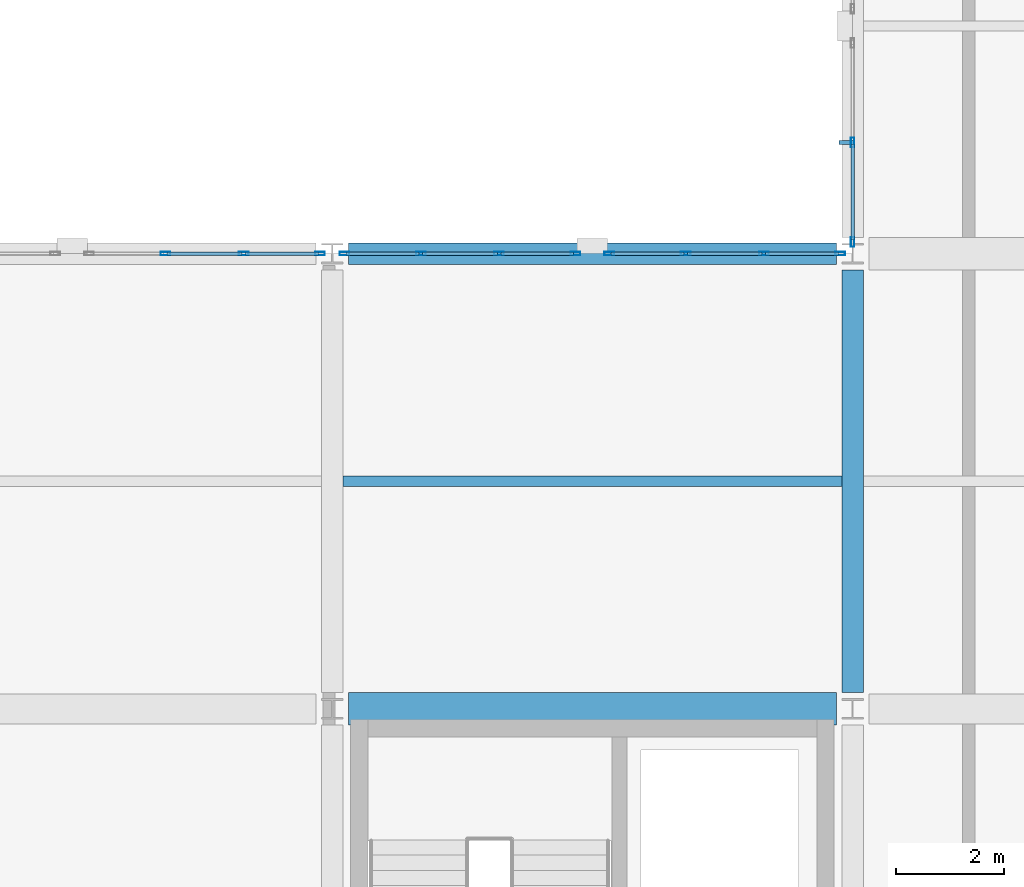
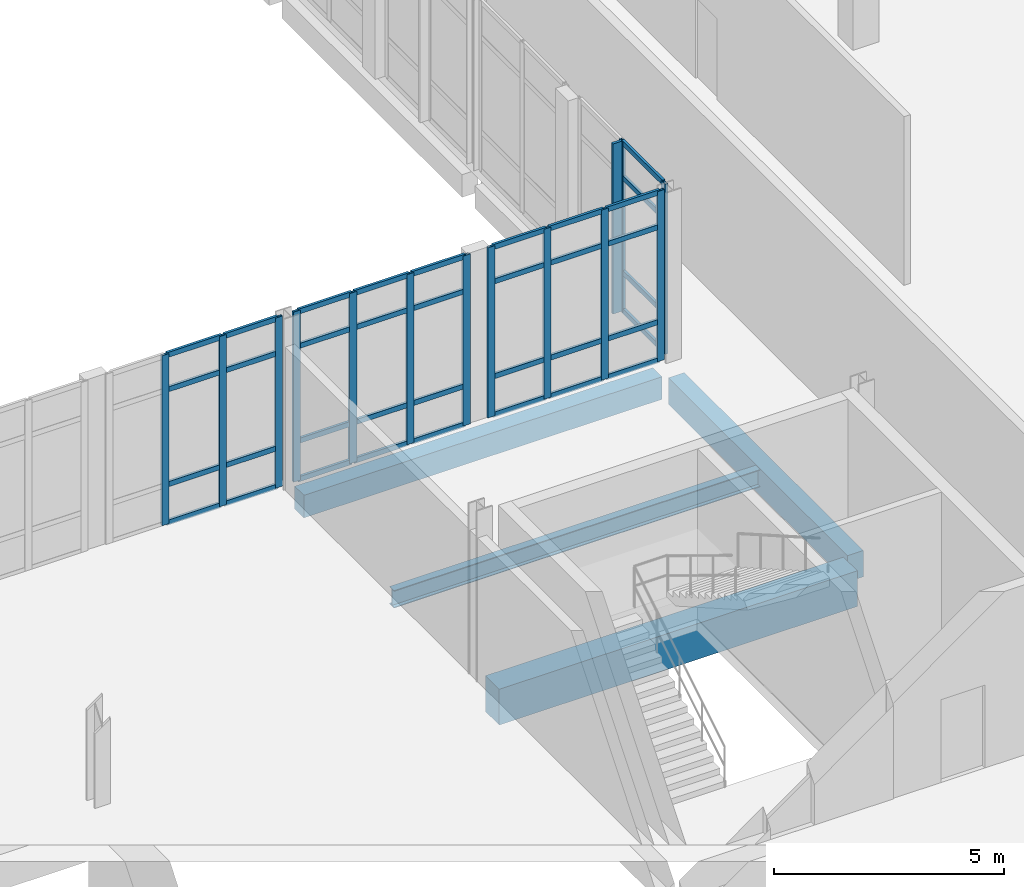
# One storey, part 20 of 102: 50 members, 4 beams, 4 elements without a shape of their own.
"""IFC4 building model written with IfcOpenShell, lengths in metres."""

from ifc_helpers import new_model, si_unit, direction, frame, origin, origin_2d, place, context, subcontext, project, spatial, rectangle, hollow_rectangle, i_section, extrude, material, layer, layer_set, material_profile, profile_set, type_object, element, aggregate, save


model = new_model("IFC4")

# Units and contexts
model_context = context("Model", 3, precision=1e-05, world=origin(), true_north=direction((0.0, 1.0)))
body_context = subcontext(model_context, "Body", "Model", "MODEL_VIEW")
ifc_project = project(units=[si_unit("LENGTHUNIT", "METRE"), si_unit("AREAUNIT", "SQUARE_METRE"), si_unit("VOLUMEUNIT", "CUBIC_METRE"), si_unit("PLANEANGLEUNIT", "RADIAN"), si_unit("MASSUNIT", "GRAM", prefix="KILO")], contexts=[model_context])

# Site, building, storey
site_placement = place(None, origin())
site = spatial("IfcSite", under=ifc_project, at=site_placement, CompositionType="ELEMENT")
building_placement = place(site_placement, origin())
building = spatial("IfcBuilding", under=site, at=building_placement, Name="Lornevale Opera House", CompositionType="ELEMENT")
storey_placement = place(building_placement, frame((0.0, 0.0, 5.39990234375)))
storey = spatial("IfcBuildingStorey", under=building, at=storey_placement, Name="L02", CompositionType="ELEMENT", Elevation=5.39990234375)

# Beams
ifc_material_1 = material(Name="Concrete 35 MPa (CSA A23.1 N)", Category="concrete")
ifc_material_profile_1 = material_profile(ifc_material_1, rectangle(XDim=0.39990234375, YDim=0.699951171875, at=origin_2d()), Name="RC400x700")
ifc_profile_set_1 = profile_set([ifc_material_profile_1], Name="Concrete 35 MPa (CSA A23.1 N)")
beam_type_1 = type_object("IfcBeamType", Name="Concrete Floor Beam 400x700", PredefinedType="USERDEFINED", material=ifc_profile_set_1)
beam_1_placement = place(storey_placement, frame((28.800048828125, 17.10009765625, -0.64990234375), z_axis=(0.0, 1.0, 0.0), x_axis=(-1.0, 0.0, 0.0)))
element("IfcBeam", 1, at=beam_1_placement, inside=storey, type_object=beam_type_1, Name="Concrete Floor Beam 400x700 1847", ObjectType="GIRDER", PredefinedType="USERDEFINED", context=body_context, shape_type="SweptSolid", body=[
    extrude(rectangle(XDim=0.39990234375, YDim=0.699951171875, at=origin_2d()), origin(), (0.0, 0.0, 1.0), 7.7998046875),
])
ifc_material_profile_2 = material_profile(ifc_material_1, rectangle(XDim=0.60009765625, YDim=0.949951171875, at=origin_2d()), Name="RC600x950")
ifc_profile_set_2 = profile_set([ifc_material_profile_2], Name="Concrete 35 MPa (CSA A23.1 N)")
beam_type_2 = type_object("IfcBeamType", Name="Concrete Primary Girder 600x950", PredefinedType="USERDEFINED", material=ifc_profile_set_2)
beam_2_placement = place(storey_placement, frame((19.5, 16.800048828125, -0.77490234375), z_axis=(1.0, 0.0, 0.0), x_axis=(0.0, 1.0, 0.0)))
element("IfcBeam", 2, at=beam_2_placement, inside=storey, type_object=beam_type_2, Name="Concrete Primary Girder 600x950 1683", ObjectType="GIRDER", PredefinedType="USERDEFINED", context=body_context, shape_type="SweptSolid", body=[
    extrude(rectangle(XDim=0.60009765625, YDim=0.949951171875, at=origin_2d()), origin(), (0.0, 0.0, 1.0), 9.0),
])
ifc_material_profile_3 = material_profile(ifc_material_1, rectangle(XDim=0.39990234375, YDim=0.60009765625, at=origin_2d()), Name="RC400x600")
ifc_profile_set_3 = profile_set([ifc_material_profile_3], Name="Concrete 35 MPa (CSA A23.1 N)")
beam_type_3 = type_object("IfcBeamType", Name="Concrete Spandrel Beam 400x600", PredefinedType="SPANDREL", material=ifc_profile_set_3)
beam_3_placement = place(storey_placement, frame((19.5, 25.199951171875, -0.599853515625), z_axis=(1.0, 0.0, 0.0), x_axis=(0.0, 1.0, 0.0)))
element("IfcBeam", 3, at=beam_3_placement, inside=storey, type_object=beam_type_3, Name="Concrete Spandrel Beam 400x600 1697", PredefinedType="SPANDREL", context=body_context, shape_type="SweptSolid", body=[
    extrude(rectangle(XDim=0.39990234375, YDim=0.60009765625, at=origin_2d()), origin(), (0.0, 0.0, 1.0), 9.0),
])

# Curtain wall, members
ifc_material_2 = material(Name="Anodized Oxide-Green Aluminium Framing", Category="aluminium")
ifc_layer = layer(ifc_material_2, 0.175048828125)
ifc_layer_set = layer_set([ifc_layer], Name="Anodized Oxide-Green Aluminium Framing")
curtain_wall_type = type_object("IfcCurtainWallType", Name="Chamber Cloister Curtain Wall M1700", PredefinedType="NOTDEFINED", material=ifc_layer_set)
curtain_wall_1_placement = place(storey_placement, origin())
curtain_wall_1 = element("IfcCurtainWall", 4, at=curtain_wall_1_placement, inside=storey, type_object=curtain_wall_type, Name="Chamber Cloister Curtain Wall M1700 CW-032", PredefinedType="NOTDEFINED")
ifc_material_profile_4 = material_profile(ifc_material_2, hollow_rectangle(XDim=0.06494140625, YDim=0.179931640625, WallThickness=0.0048828125, at=origin_2d()), Name="ALU65x180x5")
ifc_profile_set_4 = profile_set([ifc_material_profile_4], Name="Anodized Oxide-Green Aluminium Framing")
member_type_1 = type_object("IfcMemberType", Name="Curtain Wall Mullion 65x180", PredefinedType="MULLION", material=ifc_profile_set_4)
member_1_placement = place(storey_placement, frame((16.122314453125, 25.199951171875, 0.0), z_axis=(0.0, 0.0, 1.0), x_axis=(0.0, 1.0, 0.0)))
member_1 = element("IfcMember", 5, at=member_1_placement, type_object=member_type_1, Name="Curtain Wall Mullion 65x180 CW0609", PredefinedType="MULLION", context=body_context, shape_type="SweptSolid", body=[
    extrude(hollow_rectangle(XDim=0.06494140625, YDim=0.179931640625, WallThickness=0.0048828125, at=origin_2d()), origin(), (0.0, 0.0, 1.0), 4.52001953125),
])
member_2_placement = place(storey_placement, frame((17.564697265625, 25.199951171875, 0.0), z_axis=(0.0, 0.0, 1.0), x_axis=(0.0, 1.0, 0.0)))
member_2 = element("IfcMember", 6, at=member_2_placement, type_object=member_type_1, Name="Curtain Wall Mullion 65x180 CW0610", PredefinedType="MULLION", context=body_context, shape_type="SweptSolid", body=[
    extrude(hollow_rectangle(XDim=0.06494140625, YDim=0.179931640625, WallThickness=0.0048828125, at=origin_2d()), origin(), (0.0, 0.0, 1.0), 4.52001953125),
])
member_3_placement = place(storey_placement, frame((18.974609375, 25.199951171875, 0.0), z_axis=(0.0, 0.0, 1.0), x_axis=(0.0, 1.0, 0.0)))
member_3 = element("IfcMember", 7, at=member_3_placement, type_object=member_type_1, Name="Curtain Wall Mullion 65x180 CW0611", PredefinedType="MULLION", context=body_context, shape_type="SweptSolid", body=[
    extrude(hollow_rectangle(XDim=0.06494140625, YDim=0.179931640625, WallThickness=0.0048828125, at=origin_2d()), origin(), (0.0, 0.0, 1.0), 4.52001953125),
])

curtain_wall_2_placement = place(storey_placement, origin())
curtain_wall_2 = element("IfcCurtainWall", 8, at=curtain_wall_2_placement, inside=storey, type_object=curtain_wall_type, Name="Chamber Cloister Curtain Wall M1700 CW-039", PredefinedType="NOTDEFINED")
member_4_placement = place(storey_placement, frame((19.425537109375, 25.199951171875, 0.0), z_axis=(0.0, 0.0, 1.0), x_axis=(0.0, 1.0, 0.0)))
member_4 = element("IfcMember", 9, at=member_4_placement, type_object=member_type_1, Name="Curtain Wall Mullion 65x180 CW0783", PredefinedType="MULLION", context=body_context, shape_type="SweptSolid", body=[
    extrude(hollow_rectangle(XDim=0.06494140625, YDim=0.179931640625, WallThickness=0.0048828125, at=origin_2d()), origin(), (0.0, 0.0, 1.0), 4.52001953125),
])
member_5_placement = place(storey_placement, frame((20.835205078125, 25.199951171875, 0.0), z_axis=(0.0, 0.0, 1.0), x_axis=(0.0, 1.0, 0.0)))
member_5 = element("IfcMember", 10, at=member_5_placement, type_object=member_type_1, Name="Curtain Wall Mullion 65x180 CW0784", PredefinedType="MULLION", context=body_context, shape_type="SweptSolid", body=[
    extrude(hollow_rectangle(XDim=0.06494140625, YDim=0.179931640625, WallThickness=0.0048828125, at=origin_2d()), origin(), (0.0, 0.0, 1.0), 4.52001953125),
])
member_6_placement = place(storey_placement, frame((22.277587890625, 25.199951171875, 0.0), z_axis=(0.0, 0.0, 1.0), x_axis=(0.0, 1.0, 0.0)))
member_6 = element("IfcMember", 11, at=member_6_placement, type_object=member_type_1, Name="Curtain Wall Mullion 65x180 CW0785", PredefinedType="MULLION", context=body_context, shape_type="SweptSolid", body=[
    extrude(hollow_rectangle(XDim=0.06494140625, YDim=0.179931640625, WallThickness=0.0048828125, at=origin_2d()), origin(), (0.0, 0.0, 1.0), 4.52001953125),
])
member_7_placement = place(storey_placement, frame((23.6875, 25.199951171875, 0.0), z_axis=(0.0, 0.0, 1.0), x_axis=(0.0, 1.0, 0.0)))
member_7 = element("IfcMember", 12, at=member_7_placement, type_object=member_type_1, Name="Curtain Wall Mullion 65x180 CW0786", PredefinedType="MULLION", context=body_context, shape_type="SweptSolid", body=[
    extrude(hollow_rectangle(XDim=0.06494140625, YDim=0.179931640625, WallThickness=0.0048828125, at=origin_2d()), origin(), (0.0, 0.0, 1.0), 4.52001953125),
])

curtain_wall_3_placement = place(storey_placement, origin())
curtain_wall_3 = element("IfcCurtainWall", 13, at=curtain_wall_3_placement, inside=storey, type_object=curtain_wall_type, Name="Chamber Cloister Curtain Wall M1700 CW-040", PredefinedType="NOTDEFINED")
member_8_placement = place(storey_placement, frame((24.3125, 25.199951171875, 0.0), z_axis=(0.0, 0.0, 1.0), x_axis=(0.0, 1.0, 0.0)))
member_8 = element("IfcMember", 14, at=member_8_placement, type_object=member_type_1, Name="Curtain Wall Mullion 65x180 CW0808", PredefinedType="MULLION", context=body_context, shape_type="SweptSolid", body=[
    extrude(hollow_rectangle(XDim=0.06494140625, YDim=0.179931640625, WallThickness=0.0048828125, at=origin_2d()), origin(), (0.0, 0.0, 1.0), 4.52001953125),
])
member_9_placement = place(storey_placement, frame((25.722412109375, 25.199951171875, 0.0), z_axis=(0.0, 0.0, 1.0), x_axis=(0.0, 1.0, 0.0)))
member_9 = element("IfcMember", 15, at=member_9_placement, type_object=member_type_1, Name="Curtain Wall Mullion 65x180 CW0809", PredefinedType="MULLION", context=body_context, shape_type="SweptSolid", body=[
    extrude(hollow_rectangle(XDim=0.06494140625, YDim=0.179931640625, WallThickness=0.0048828125, at=origin_2d()), origin(), (0.0, 0.0, 1.0), 4.52001953125),
])
member_10_placement = place(storey_placement, frame((27.164794921875, 25.199951171875, 0.0), z_axis=(0.0, 0.0, 1.0), x_axis=(0.0, 1.0, 0.0)))
member_10 = element("IfcMember", 16, at=member_10_placement, type_object=member_type_1, Name="Curtain Wall Mullion 65x180 CW0810", PredefinedType="MULLION", context=body_context, shape_type="SweptSolid", body=[
    extrude(hollow_rectangle(XDim=0.06494140625, YDim=0.179931640625, WallThickness=0.0048828125, at=origin_2d()), origin(), (0.0, 0.0, 1.0), 4.52001953125),
])
member_11_placement = place(storey_placement, frame((28.574462890625, 25.199951171875, 0.0), z_axis=(0.0, 0.0, 1.0), x_axis=(0.0, 1.0, 0.0)))
member_11 = element("IfcMember", 17, at=member_11_placement, type_object=member_type_1, Name="Curtain Wall Mullion 65x180 CW0811", PredefinedType="MULLION", context=body_context, shape_type="SweptSolid", body=[
    extrude(hollow_rectangle(XDim=0.06494140625, YDim=0.179931640625, WallThickness=0.0048828125, at=origin_2d()), origin(), (0.0, 0.0, 1.0), 4.52001953125),
])

curtain_wall_4_placement = place(storey_placement, origin())
curtain_wall_4 = element("IfcCurtainWall", 18, at=curtain_wall_4_placement, inside=storey, type_object=curtain_wall_type, Name="Chamber Cloister Curtain Wall M1700 CW-051", PredefinedType="NOTDEFINED")
member_12_placement = place(storey_placement, frame((28.800048828125, 25.416015625, 0.0), z_axis=(0.0, 0.0, 1.0), x_axis=(-1.0, 0.0, 0.0)))
member_12 = element("IfcMember", 19, at=member_12_placement, type_object=member_type_1, Name="Curtain Wall Mullion 65x180 CW1043", PredefinedType="MULLION", context=body_context, shape_type="SweptSolid", body=[
    extrude(hollow_rectangle(XDim=0.06494140625, YDim=0.179931640625, WallThickness=0.0048828125, at=origin_2d()), origin(), (0.0, 0.0, 1.0), 4.52001953125),
])
member_13_placement = place(storey_placement, frame((28.800048828125, 27.251708984375, 0.0), z_axis=(0.0, 0.0, 1.0), x_axis=(-1.0, 0.0, 0.0)))
member_13 = element("IfcMember", 20, at=member_13_placement, type_object=member_type_1, Name="Curtain Wall Mullion 65x180 CW1044", PredefinedType="MULLION", context=body_context, shape_type="SweptSolid", body=[
    extrude(hollow_rectangle(XDim=0.06494140625, YDim=0.179931640625, WallThickness=0.0048828125, at=origin_2d()), origin(), (0.0, 0.0, 1.0), 4.52001953125),
])

# Member
ifc_material_profile_5 = material_profile(ifc_material_2, hollow_rectangle(XDim=0.06494140625, YDim=0.135009765625, WallThickness=0.00390625, at=origin_2d()), Name="ALU65x135x4")
ifc_profile_set_5 = profile_set([ifc_material_profile_5], Name="Anodized Oxide-Green Aluminium Framing")
member_type_2 = type_object("IfcMemberType", Name="Curtain Wall Transom 65x135", PredefinedType="USERDEFINED", material=ifc_profile_set_5)
member_14_placement = place(storey_placement, frame((16.15478515625, 25.199951171875, 0.03271484375), z_axis=(1.0, 0.0, 0.0), x_axis=(0.0, 1.0, 0.0)))
member_14 = element("IfcMember", 21, at=member_14_placement, type_object=member_type_2, Name="Curtain Wall Transom 65x135 CW0619", ObjectType="TRANSOM", PredefinedType="USERDEFINED", context=body_context, shape_type="SweptSolid", body=[
    extrude(hollow_rectangle(XDim=0.06494140625, YDim=0.135009765625, WallThickness=0.00390625, at=origin_2d()), origin(), (0.0, 0.0, 1.0), 1.37744140625),
])

member_15_placement = place(storey_placement, frame((16.15478515625, 25.199951171875, 1.050048828125), z_axis=(1.0, 0.0, 0.0), x_axis=(0.0, 1.0, 0.0)))
member_15 = element("IfcMember", 22, at=member_15_placement, type_object=member_type_2, Name="Curtain Wall Transom 65x135 CW0620", ObjectType="TRANSOM", PredefinedType="USERDEFINED", context=body_context, shape_type="SweptSolid", body=[
    extrude(hollow_rectangle(XDim=0.06494140625, YDim=0.135009765625, WallThickness=0.00390625, at=origin_2d()), origin(), (0.0, 0.0, 1.0), 1.37744140625),
])

member_16_placement = place(storey_placement, frame((16.15478515625, 25.199951171875, 3.570068359375), z_axis=(1.0, 0.0, 0.0), x_axis=(0.0, 1.0, 0.0)))
member_16 = element("IfcMember", 23, at=member_16_placement, type_object=member_type_2, Name="Curtain Wall Transom 65x135 CW0621", ObjectType="TRANSOM", PredefinedType="USERDEFINED", context=body_context, shape_type="SweptSolid", body=[
    extrude(hollow_rectangle(XDim=0.06494140625, YDim=0.135009765625, WallThickness=0.00390625, at=origin_2d()), origin(), (0.0, 0.0, 1.0), 1.37744140625),
])

member_17_placement = place(storey_placement, frame((16.15478515625, 25.199951171875, 4.487548828125), z_axis=(1.0, 0.0, 0.0), x_axis=(0.0, 1.0, 0.0)))
member_17 = element("IfcMember", 24, at=member_17_placement, type_object=member_type_2, Name="Curtain Wall Transom 65x135 CW0622", ObjectType="TRANSOM", PredefinedType="USERDEFINED", context=body_context, shape_type="SweptSolid", body=[
    extrude(hollow_rectangle(XDim=0.06494140625, YDim=0.135009765625, WallThickness=0.00390625, at=origin_2d()), origin(), (0.0, 0.0, 1.0), 1.37744140625),
])

member_18_placement = place(storey_placement, frame((17.59716796875, 25.199951171875, 0.03271484375), z_axis=(1.0, 0.0, 0.0), x_axis=(0.0, 1.0, 0.0)))
member_18 = element("IfcMember", 25, at=member_18_placement, type_object=member_type_2, Name="Curtain Wall Transom 65x135 CW0626", ObjectType="TRANSOM", PredefinedType="USERDEFINED", context=body_context, shape_type="SweptSolid", body=[
    extrude(hollow_rectangle(XDim=0.06494140625, YDim=0.135009765625, WallThickness=0.00390625, at=origin_2d()), origin(), (0.0, 0.0, 1.0), 1.3447265625),
])

member_19_placement = place(storey_placement, frame((17.59716796875, 25.199951171875, 1.050048828125), z_axis=(1.0, 0.0, 0.0), x_axis=(0.0, 1.0, 0.0)))
member_19 = element("IfcMember", 26, at=member_19_placement, type_object=member_type_2, Name="Curtain Wall Transom 65x135 CW0627", ObjectType="TRANSOM", PredefinedType="USERDEFINED", context=body_context, shape_type="SweptSolid", body=[
    extrude(hollow_rectangle(XDim=0.06494140625, YDim=0.135009765625, WallThickness=0.00390625, at=origin_2d()), origin(), (0.0, 0.0, 1.0), 1.3447265625),
])

member_20_placement = place(storey_placement, frame((17.59716796875, 25.199951171875, 3.570068359375), z_axis=(1.0, 0.0, 0.0), x_axis=(0.0, 1.0, 0.0)))
member_20 = element("IfcMember", 27, at=member_20_placement, type_object=member_type_2, Name="Curtain Wall Transom 65x135 CW0628", ObjectType="TRANSOM", PredefinedType="USERDEFINED", context=body_context, shape_type="SweptSolid", body=[
    extrude(hollow_rectangle(XDim=0.06494140625, YDim=0.135009765625, WallThickness=0.00390625, at=origin_2d()), origin(), (0.0, 0.0, 1.0), 1.3447265625),
])

member_21_placement = place(storey_placement, frame((17.59716796875, 25.199951171875, 4.487548828125), z_axis=(1.0, 0.0, 0.0), x_axis=(0.0, 1.0, 0.0)))
member_21 = element("IfcMember", 28, at=member_21_placement, type_object=member_type_2, Name="Curtain Wall Transom 65x135 CW0629", ObjectType="TRANSOM", PredefinedType="USERDEFINED", context=body_context, shape_type="SweptSolid", body=[
    extrude(hollow_rectangle(XDim=0.06494140625, YDim=0.135009765625, WallThickness=0.00390625, at=origin_2d()), origin(), (0.0, 0.0, 1.0), 1.3447265625),
])

aggregate(curtain_wall_1, [member_1, member_2, member_3, member_14, member_15, member_16, member_17, member_18, member_19, member_20, member_21])

member_22_placement = place(storey_placement, frame((19.4580078125, 25.199951171875, 0.03271484375), z_axis=(1.0, 0.0, 0.0), x_axis=(0.0, 1.0, 0.0)))
member_22 = element("IfcMember", 29, at=member_22_placement, type_object=member_type_2, Name="Curtain Wall Transom 65x135 CW0787", ObjectType="TRANSOM", PredefinedType="USERDEFINED", context=body_context, shape_type="SweptSolid", body=[
    extrude(hollow_rectangle(XDim=0.06494140625, YDim=0.135009765625, WallThickness=0.00390625, at=origin_2d()), origin(), (0.0, 0.0, 1.0), 1.3447265625),
])

member_23_placement = place(storey_placement, frame((19.4580078125, 25.199951171875, 1.050048828125), z_axis=(1.0, 0.0, 0.0), x_axis=(0.0, 1.0, 0.0)))
member_23 = element("IfcMember", 30, at=member_23_placement, type_object=member_type_2, Name="Curtain Wall Transom 65x135 CW0788", ObjectType="TRANSOM", PredefinedType="USERDEFINED", context=body_context, shape_type="SweptSolid", body=[
    extrude(hollow_rectangle(XDim=0.06494140625, YDim=0.135009765625, WallThickness=0.00390625, at=origin_2d()), origin(), (0.0, 0.0, 1.0), 1.3447265625),
])

member_24_placement = place(storey_placement, frame((19.4580078125, 25.199951171875, 3.570068359375), z_axis=(1.0, 0.0, 0.0), x_axis=(0.0, 1.0, 0.0)))
member_24 = element("IfcMember", 31, at=member_24_placement, type_object=member_type_2, Name="Curtain Wall Transom 65x135 CW0789", ObjectType="TRANSOM", PredefinedType="USERDEFINED", context=body_context, shape_type="SweptSolid", body=[
    extrude(hollow_rectangle(XDim=0.06494140625, YDim=0.135009765625, WallThickness=0.00390625, at=origin_2d()), origin(), (0.0, 0.0, 1.0), 1.3447265625),
])

member_25_placement = place(storey_placement, frame((19.4580078125, 25.199951171875, 4.487548828125), z_axis=(1.0, 0.0, 0.0), x_axis=(0.0, 1.0, 0.0)))
member_25 = element("IfcMember", 32, at=member_25_placement, type_object=member_type_2, Name="Curtain Wall Transom 65x135 CW0790", ObjectType="TRANSOM", PredefinedType="USERDEFINED", context=body_context, shape_type="SweptSolid", body=[
    extrude(hollow_rectangle(XDim=0.06494140625, YDim=0.135009765625, WallThickness=0.00390625, at=origin_2d()), origin(), (0.0, 0.0, 1.0), 1.3447265625),
])

member_26_placement = place(storey_placement, frame((20.867919921875, 25.199951171875, 0.03271484375), z_axis=(1.0, 0.0, 0.0), x_axis=(0.0, 1.0, 0.0)))
member_26 = element("IfcMember", 33, at=member_26_placement, type_object=member_type_2, Name="Curtain Wall Transom 65x135 CW0794", ObjectType="TRANSOM", PredefinedType="USERDEFINED", context=body_context, shape_type="SweptSolid", body=[
    extrude(hollow_rectangle(XDim=0.06494140625, YDim=0.135009765625, WallThickness=0.00390625, at=origin_2d()), origin(), (0.0, 0.0, 1.0), 1.377197265625),
])

member_27_placement = place(storey_placement, frame((20.867919921875, 25.199951171875, 1.050048828125), z_axis=(1.0, 0.0, 0.0), x_axis=(0.0, 1.0, 0.0)))
member_27 = element("IfcMember", 34, at=member_27_placement, type_object=member_type_2, Name="Curtain Wall Transom 65x135 CW0795", ObjectType="TRANSOM", PredefinedType="USERDEFINED", context=body_context, shape_type="SweptSolid", body=[
    extrude(hollow_rectangle(XDim=0.06494140625, YDim=0.135009765625, WallThickness=0.00390625, at=origin_2d()), origin(), (0.0, 0.0, 1.0), 1.377197265625),
])

member_28_placement = place(storey_placement, frame((20.867919921875, 25.199951171875, 3.570068359375), z_axis=(1.0, 0.0, 0.0), x_axis=(0.0, 1.0, 0.0)))
member_28 = element("IfcMember", 35, at=member_28_placement, type_object=member_type_2, Name="Curtain Wall Transom 65x135 CW0796", ObjectType="TRANSOM", PredefinedType="USERDEFINED", context=body_context, shape_type="SweptSolid", body=[
    extrude(hollow_rectangle(XDim=0.06494140625, YDim=0.135009765625, WallThickness=0.00390625, at=origin_2d()), origin(), (0.0, 0.0, 1.0), 1.377197265625),
])

member_29_placement = place(storey_placement, frame((20.867919921875, 25.199951171875, 4.487548828125), z_axis=(1.0, 0.0, 0.0), x_axis=(0.0, 1.0, 0.0)))
member_29 = element("IfcMember", 36, at=member_29_placement, type_object=member_type_2, Name="Curtain Wall Transom 65x135 CW0797", ObjectType="TRANSOM", PredefinedType="USERDEFINED", context=body_context, shape_type="SweptSolid", body=[
    extrude(hollow_rectangle(XDim=0.06494140625, YDim=0.135009765625, WallThickness=0.00390625, at=origin_2d()), origin(), (0.0, 0.0, 1.0), 1.377197265625),
])

member_30_placement = place(storey_placement, frame((22.310302734375, 25.199951171875, 0.03271484375), z_axis=(1.0, 0.0, 0.0), x_axis=(0.0, 1.0, 0.0)))
member_30 = element("IfcMember", 37, at=member_30_placement, type_object=member_type_2, Name="Curtain Wall Transom 65x135 CW0801", ObjectType="TRANSOM", PredefinedType="USERDEFINED", context=body_context, shape_type="SweptSolid", body=[
    extrude(hollow_rectangle(XDim=0.06494140625, YDim=0.135009765625, WallThickness=0.00390625, at=origin_2d()), origin(), (0.0, 0.0, 1.0), 1.3447265625),
])

member_31_placement = place(storey_placement, frame((22.310302734375, 25.199951171875, 1.050048828125), z_axis=(1.0, 0.0, 0.0), x_axis=(0.0, 1.0, 0.0)))
member_31 = element("IfcMember", 38, at=member_31_placement, type_object=member_type_2, Name="Curtain Wall Transom 65x135 CW0802", ObjectType="TRANSOM", PredefinedType="USERDEFINED", context=body_context, shape_type="SweptSolid", body=[
    extrude(hollow_rectangle(XDim=0.06494140625, YDim=0.135009765625, WallThickness=0.00390625, at=origin_2d()), origin(), (0.0, 0.0, 1.0), 1.3447265625),
])

member_32_placement = place(storey_placement, frame((22.310302734375, 25.199951171875, 3.570068359375), z_axis=(1.0, 0.0, 0.0), x_axis=(0.0, 1.0, 0.0)))
member_32 = element("IfcMember", 39, at=member_32_placement, type_object=member_type_2, Name="Curtain Wall Transom 65x135 CW0803", ObjectType="TRANSOM", PredefinedType="USERDEFINED", context=body_context, shape_type="SweptSolid", body=[
    extrude(hollow_rectangle(XDim=0.06494140625, YDim=0.135009765625, WallThickness=0.00390625, at=origin_2d()), origin(), (0.0, 0.0, 1.0), 1.3447265625),
])

member_33_placement = place(storey_placement, frame((22.310302734375, 25.199951171875, 4.487548828125), z_axis=(1.0, 0.0, 0.0), x_axis=(0.0, 1.0, 0.0)))
member_33 = element("IfcMember", 40, at=member_33_placement, type_object=member_type_2, Name="Curtain Wall Transom 65x135 CW0804", ObjectType="TRANSOM", PredefinedType="USERDEFINED", context=body_context, shape_type="SweptSolid", body=[
    extrude(hollow_rectangle(XDim=0.06494140625, YDim=0.135009765625, WallThickness=0.00390625, at=origin_2d()), origin(), (0.0, 0.0, 1.0), 1.3447265625),
])

aggregate(curtain_wall_2, [member_4, member_5, member_6, member_7, member_22, member_23, member_24, member_25, member_26, member_27, member_28, member_29, member_30, member_31, member_32, member_33])

member_34_placement = place(storey_placement, frame((24.344970703125, 25.199951171875, 0.03271484375), z_axis=(1.0, 0.0, 0.0), x_axis=(0.0, 1.0, 0.0)))
member_34 = element("IfcMember", 41, at=member_34_placement, type_object=member_type_2, Name="Curtain Wall Transom 65x135 CW0812", ObjectType="TRANSOM", PredefinedType="USERDEFINED", context=body_context, shape_type="SweptSolid", body=[
    extrude(hollow_rectangle(XDim=0.06494140625, YDim=0.135009765625, WallThickness=0.00390625, at=origin_2d()), origin(), (0.0, 0.0, 1.0), 1.3447265625),
])

member_35_placement = place(storey_placement, frame((24.344970703125, 25.199951171875, 1.050048828125), z_axis=(1.0, 0.0, 0.0), x_axis=(0.0, 1.0, 0.0)))
member_35 = element("IfcMember", 42, at=member_35_placement, type_object=member_type_2, Name="Curtain Wall Transom 65x135 CW0813", ObjectType="TRANSOM", PredefinedType="USERDEFINED", context=body_context, shape_type="SweptSolid", body=[
    extrude(hollow_rectangle(XDim=0.06494140625, YDim=0.135009765625, WallThickness=0.00390625, at=origin_2d()), origin(), (0.0, 0.0, 1.0), 1.3447265625),
])

member_36_placement = place(storey_placement, frame((24.344970703125, 25.199951171875, 3.570068359375), z_axis=(1.0, 0.0, 0.0), x_axis=(0.0, 1.0, 0.0)))
member_36 = element("IfcMember", 43, at=member_36_placement, type_object=member_type_2, Name="Curtain Wall Transom 65x135 CW0814", ObjectType="TRANSOM", PredefinedType="USERDEFINED", context=body_context, shape_type="SweptSolid", body=[
    extrude(hollow_rectangle(XDim=0.06494140625, YDim=0.135009765625, WallThickness=0.00390625, at=origin_2d()), origin(), (0.0, 0.0, 1.0), 1.3447265625),
])

member_37_placement = place(storey_placement, frame((24.344970703125, 25.199951171875, 4.487548828125), z_axis=(1.0, 0.0, 0.0), x_axis=(0.0, 1.0, 0.0)))
member_37 = element("IfcMember", 44, at=member_37_placement, type_object=member_type_2, Name="Curtain Wall Transom 65x135 CW0815", ObjectType="TRANSOM", PredefinedType="USERDEFINED", context=body_context, shape_type="SweptSolid", body=[
    extrude(hollow_rectangle(XDim=0.06494140625, YDim=0.135009765625, WallThickness=0.00390625, at=origin_2d()), origin(), (0.0, 0.0, 1.0), 1.3447265625),
])

member_38_placement = place(storey_placement, frame((25.7548828125, 25.199951171875, 0.03271484375), z_axis=(1.0, 0.0, 0.0), x_axis=(0.0, 1.0, 0.0)))
member_38 = element("IfcMember", 45, at=member_38_placement, type_object=member_type_2, Name="Curtain Wall Transom 65x135 CW0819", ObjectType="TRANSOM", PredefinedType="USERDEFINED", context=body_context, shape_type="SweptSolid", body=[
    extrude(hollow_rectangle(XDim=0.06494140625, YDim=0.135009765625, WallThickness=0.00390625, at=origin_2d()), origin(), (0.0, 0.0, 1.0), 1.377197265625),
])

member_39_placement = place(storey_placement, frame((25.7548828125, 25.199951171875, 1.050048828125), z_axis=(1.0, 0.0, 0.0), x_axis=(0.0, 1.0, 0.0)))
member_39 = element("IfcMember", 46, at=member_39_placement, type_object=member_type_2, Name="Curtain Wall Transom 65x135 CW0820", ObjectType="TRANSOM", PredefinedType="USERDEFINED", context=body_context, shape_type="SweptSolid", body=[
    extrude(hollow_rectangle(XDim=0.06494140625, YDim=0.135009765625, WallThickness=0.00390625, at=origin_2d()), origin(), (0.0, 0.0, 1.0), 1.377197265625),
])

member_40_placement = place(storey_placement, frame((25.7548828125, 25.199951171875, 3.570068359375), z_axis=(1.0, 0.0, 0.0), x_axis=(0.0, 1.0, 0.0)))
member_40 = element("IfcMember", 47, at=member_40_placement, type_object=member_type_2, Name="Curtain Wall Transom 65x135 CW0821", ObjectType="TRANSOM", PredefinedType="USERDEFINED", context=body_context, shape_type="SweptSolid", body=[
    extrude(hollow_rectangle(XDim=0.06494140625, YDim=0.135009765625, WallThickness=0.00390625, at=origin_2d()), origin(), (0.0, 0.0, 1.0), 1.377197265625),
])

member_41_placement = place(storey_placement, frame((25.7548828125, 25.199951171875, 4.487548828125), z_axis=(1.0, 0.0, 0.0), x_axis=(0.0, 1.0, 0.0)))
member_41 = element("IfcMember", 48, at=member_41_placement, type_object=member_type_2, Name="Curtain Wall Transom 65x135 CW0822", ObjectType="TRANSOM", PredefinedType="USERDEFINED", context=body_context, shape_type="SweptSolid", body=[
    extrude(hollow_rectangle(XDim=0.06494140625, YDim=0.135009765625, WallThickness=0.00390625, at=origin_2d()), origin(), (0.0, 0.0, 1.0), 1.377197265625),
])

member_42_placement = place(storey_placement, frame((27.197265625, 25.199951171875, 0.03271484375), z_axis=(1.0, 0.0, 0.0), x_axis=(0.0, 1.0, 0.0)))
member_42 = element("IfcMember", 49, at=member_42_placement, type_object=member_type_2, Name="Curtain Wall Transom 65x135 CW0826", ObjectType="TRANSOM", PredefinedType="USERDEFINED", context=body_context, shape_type="SweptSolid", body=[
    extrude(hollow_rectangle(XDim=0.06494140625, YDim=0.135009765625, WallThickness=0.00390625, at=origin_2d()), origin(), (0.0, 0.0, 1.0), 1.3447265625),
])

member_43_placement = place(storey_placement, frame((27.197265625, 25.199951171875, 1.050048828125), z_axis=(1.0, 0.0, 0.0), x_axis=(0.0, 1.0, 0.0)))
member_43 = element("IfcMember", 50, at=member_43_placement, type_object=member_type_2, Name="Curtain Wall Transom 65x135 CW0827", ObjectType="TRANSOM", PredefinedType="USERDEFINED", context=body_context, shape_type="SweptSolid", body=[
    extrude(hollow_rectangle(XDim=0.06494140625, YDim=0.135009765625, WallThickness=0.00390625, at=origin_2d()), origin(), (0.0, 0.0, 1.0), 1.3447265625),
])

member_44_placement = place(storey_placement, frame((27.197265625, 25.199951171875, 3.570068359375), z_axis=(1.0, 0.0, 0.0), x_axis=(0.0, 1.0, 0.0)))
member_44 = element("IfcMember", 51, at=member_44_placement, type_object=member_type_2, Name="Curtain Wall Transom 65x135 CW0828", ObjectType="TRANSOM", PredefinedType="USERDEFINED", context=body_context, shape_type="SweptSolid", body=[
    extrude(hollow_rectangle(XDim=0.06494140625, YDim=0.135009765625, WallThickness=0.00390625, at=origin_2d()), origin(), (0.0, 0.0, 1.0), 1.3447265625),
])

member_45_placement = place(storey_placement, frame((27.197265625, 25.199951171875, 4.487548828125), z_axis=(1.0, 0.0, 0.0), x_axis=(0.0, 1.0, 0.0)))
member_45 = element("IfcMember", 52, at=member_45_placement, type_object=member_type_2, Name="Curtain Wall Transom 65x135 CW0829", ObjectType="TRANSOM", PredefinedType="USERDEFINED", context=body_context, shape_type="SweptSolid", body=[
    extrude(hollow_rectangle(XDim=0.06494140625, YDim=0.135009765625, WallThickness=0.00390625, at=origin_2d()), origin(), (0.0, 0.0, 1.0), 1.3447265625),
])

aggregate(curtain_wall_3, [member_8, member_9, member_10, member_11, member_34, member_35, member_36, member_37, member_38, member_39, member_40, member_41, member_42, member_43, member_44, member_45])

member_46_placement = place(storey_placement, frame((28.800048828125, 25.448486328125, 0.03271484375), z_axis=(0.0, 1.0, 0.0), x_axis=(-1.0, 0.0, 0.0)))
member_46 = element("IfcMember", 53, at=member_46_placement, type_object=member_type_2, Name="Curtain Wall Transom 65x135 CW1046", ObjectType="TRANSOM", PredefinedType="USERDEFINED", context=body_context, shape_type="SweptSolid", body=[
    extrude(hollow_rectangle(XDim=0.06494140625, YDim=0.135009765625, WallThickness=0.00390625, at=origin_2d()), origin(), (0.0, 0.0, 1.0), 1.770751953125),
])

member_47_placement = place(storey_placement, frame((28.800048828125, 25.448486328125, 1.050048828125), z_axis=(0.0, 1.0, 0.0), x_axis=(-1.0, 0.0, 0.0)))
member_47 = element("IfcMember", 54, at=member_47_placement, type_object=member_type_2, Name="Curtain Wall Transom 65x135 CW1047", ObjectType="TRANSOM", PredefinedType="USERDEFINED", context=body_context, shape_type="SweptSolid", body=[
    extrude(hollow_rectangle(XDim=0.06494140625, YDim=0.135009765625, WallThickness=0.00390625, at=origin_2d()), origin(), (0.0, 0.0, 1.0), 1.770751953125),
])

member_48_placement = place(storey_placement, frame((28.800048828125, 25.448486328125, 3.570068359375), z_axis=(0.0, 1.0, 0.0), x_axis=(-1.0, 0.0, 0.0)))
member_48 = element("IfcMember", 55, at=member_48_placement, type_object=member_type_2, Name="Curtain Wall Transom 65x135 CW1048", ObjectType="TRANSOM", PredefinedType="USERDEFINED", context=body_context, shape_type="SweptSolid", body=[
    extrude(hollow_rectangle(XDim=0.06494140625, YDim=0.135009765625, WallThickness=0.00390625, at=origin_2d()), origin(), (0.0, 0.0, 1.0), 1.770751953125),
])

member_49_placement = place(storey_placement, frame((28.800048828125, 25.448486328125, 4.487548828125), z_axis=(0.0, 1.0, 0.0), x_axis=(-1.0, 0.0, 0.0)))
member_49 = element("IfcMember", 56, at=member_49_placement, type_object=member_type_2, Name="Curtain Wall Transom 65x135 CW1049", ObjectType="TRANSOM", PredefinedType="USERDEFINED", context=body_context, shape_type="SweptSolid", body=[
    extrude(hollow_rectangle(XDim=0.06494140625, YDim=0.135009765625, WallThickness=0.00390625, at=origin_2d()), origin(), (0.0, 0.0, 1.0), 1.770751953125),
])

ifc_material_3 = material(Name="Architectural Bronze Solar Louvre Alloy", Category="metal")
ifc_material_profile_6 = material_profile(ifc_material_3, rectangle(XDim=0.070068359375, YDim=0.300048828125, at=origin_2d()), Name="FIN70x300")
ifc_profile_set_6 = profile_set([ifc_material_profile_6], Name="Architectural Bronze Solar Louvre Alloy")
member_type_3 = type_object("IfcMemberType", Name="Solar Shading Fin 70x300", PredefinedType="USERDEFINED", material=ifc_profile_set_6)
member_50_placement = place(storey_placement, frame((28.695068359375, 27.251708984375, 0.0), z_axis=(0.0, 0.0, 1.0), x_axis=(0.0, 1.0, 0.0)))
member_50 = element("IfcMember", 57, at=member_50_placement, type_object=member_type_3, Name="Solar Shading Fin 70x300 FIN0020", ObjectType="SOLAR FIN", PredefinedType="USERDEFINED", context=body_context, shape_type="SweptSolid", body=[
    extrude(rectangle(XDim=0.070068359375, YDim=0.300048828125, at=origin_2d()), origin(), (0.0, 0.0, 1.0), 4.52001953125),
])

aggregate(curtain_wall_4, [member_12, member_13, member_46, member_47, member_48, member_49, member_50])

# Beam
ifc_material_4 = material(Name="Structural Steel CSA G40.21 Grade 350W (350 MPa)", Category="steel")
ifc_material_profile_7 = material_profile(ifc_material_4, i_section(OverallWidth=0.19189453125, OverallDepth=0.462890625, WebThickness=0.010498046875, FlangeThickness=0.017578125, at=origin_2d()), Name="W460x89")
ifc_profile_set_7 = profile_set([ifc_material_profile_7], Name="Structural Steel CSA G40.21 Grade 350W (350 MPa)")
beam_type_4 = type_object("IfcBeamType", Name="Steel Floor Joist W460x89", PredefinedType="JOIST", material=ifc_profile_set_7)
beam_4_placement = place(storey_placement, frame((19.39990234375, 21.0, -0.54638671875), z_axis=(1.0, 0.0, 0.0), x_axis=(0.0, 1.0, 0.0)))
element("IfcBeam", 58, at=beam_4_placement, inside=storey, type_object=beam_type_4, Name="Steel Floor Joist W460x89 1986", PredefinedType="JOIST", context=body_context, shape_type="SweptSolid", body=[
    extrude(i_section(OverallWidth=0.19189453125, OverallDepth=0.462890625, WebThickness=0.010498046875, FlangeThickness=0.017578125, at=origin_2d()), origin(), (0.0, 0.0, 1.0), 9.2001953125),
])

save(model, "model.ifc")
